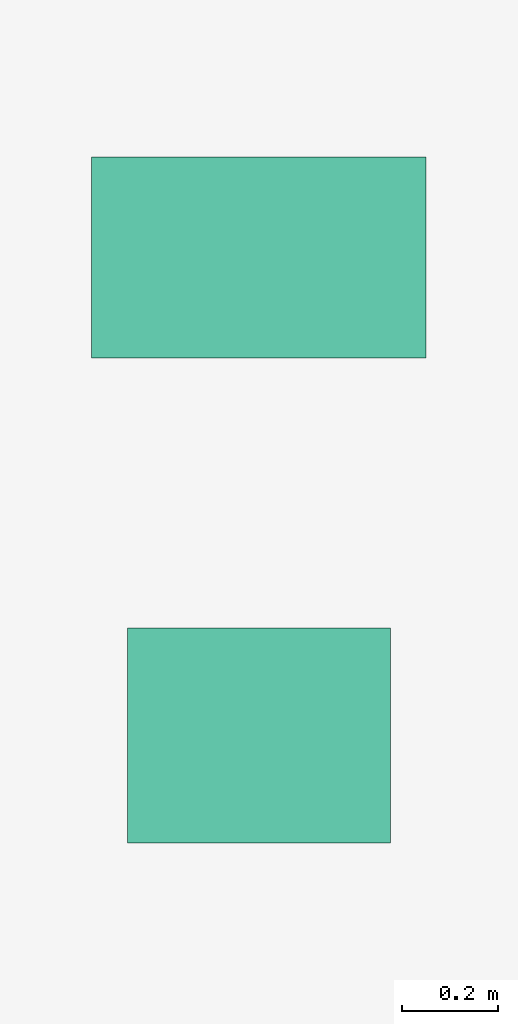
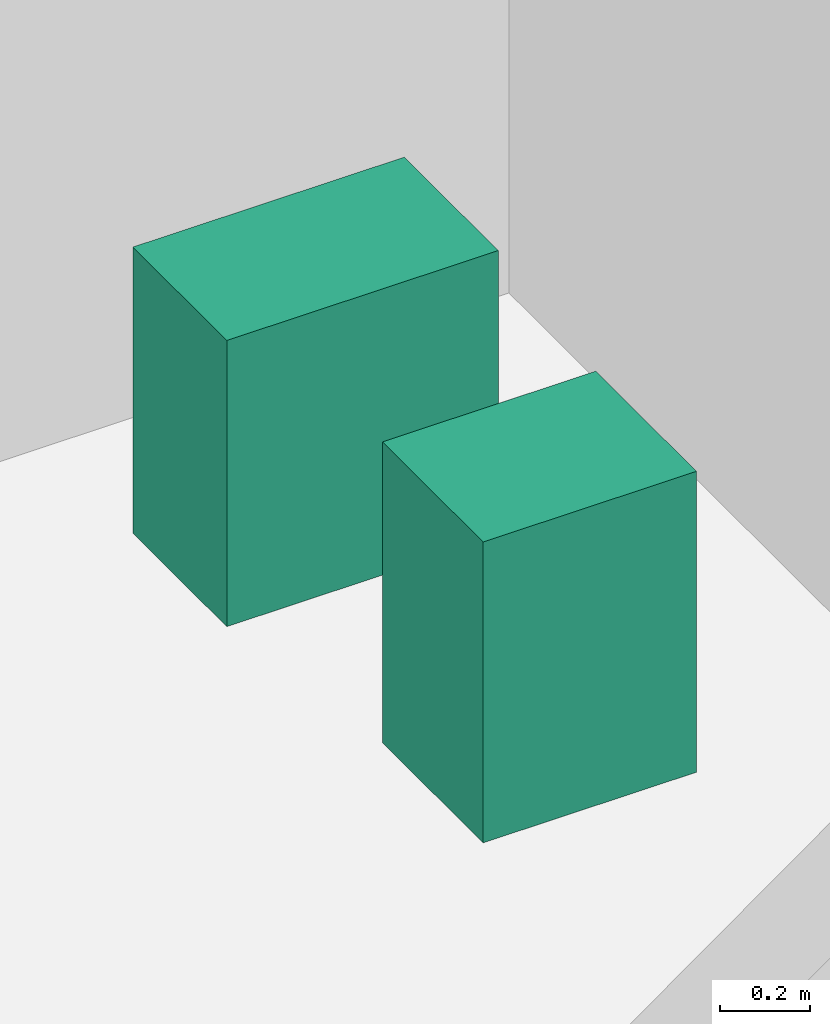
# One storey, part 27 of 27: 2 sanitary terminals.
"""IFC4 building model written with IfcOpenShell, lengths in metres."""

from ifc_helpers import new_model, si_unit, direction, frame, origin, origin_2d, place, context, subcontext, project, spatial, rectangle, extrude, source, transform, mapped, material, type_object, element, save


model = new_model("IFC4")

# Units and contexts
model_context = context("Model", 3, precision=1e-05, world=origin(), true_north=direction((0.0, 1.0)))
body_context = subcontext(model_context, "Body", "Model", "MODEL_VIEW")
ifc_project = project(units=[si_unit("LENGTHUNIT", "METRE"), si_unit("AREAUNIT", "SQUARE_METRE"), si_unit("VOLUMEUNIT", "CUBIC_METRE"), si_unit("PLANEANGLEUNIT", "RADIAN"), si_unit("MASSUNIT", "GRAM", prefix="KILO")], contexts=[model_context])

# Site, building, storey
site_placement = place(None, origin())
site = spatial("IfcSite", under=ifc_project, at=site_placement, CompositionType="ELEMENT")
building_placement = place(site_placement, origin())
building = spatial("IfcBuilding", under=site, at=building_placement, Name="Sumidabori Civic Tower", CompositionType="ELEMENT")
storey_placement = place(building_placement, frame((0.0, 0.0, 138.800048828125)))
storey = spatial("IfcBuildingStorey", under=building, at=storey_placement, Name="L35", CompositionType="ELEMENT", Elevation=138.800048828125)

# Sanitary terminals
ifc_material = material(Name="Vitreous Sanitary Porcelain")
sanitary_terminal_type_1 = type_object("IfcSanitaryTerminalType", Name="SN-WC-1", PredefinedType="TOILETPAN", material=ifc_material)
shared_shape_1 = source(origin(), body_context, "Body", "SweptSolid", [
    extrude(rectangle(XDim=0.699951171875, YDim=0.419921875, at=origin_2d()), origin(), (0.0, 0.0, 1.0), 0.780029296875),
])
sanitary_terminal_1_placement = place(storey_placement, frame((10.800048828125, 21.85009765625, 0.0), z_axis=(0.0, 0.0, 1.0), x_axis=(1.0, 0.0, 0.0)))
element("IfcSanitaryTerminal", 1, at=sanitary_terminal_1_placement, inside=storey, type_object=sanitary_terminal_type_1, Name="Accessible WC Pan L35", PredefinedType="TOILETPAN", context=body_context, shape_type="MappedRepresentation", body=[
    mapped(shared_shape_1, transform((0.0, 0.0, 0.0), x_axis=(1.0, 0.0, 0.0), y_axis=(0.0, 1.0, 0.0), z_axis=(0.0, 0.0, 1.0), scale=1.0)),
])
sanitary_terminal_type_2 = type_object("IfcSanitaryTerminalType", Name="SN-BAS-1", PredefinedType="WASHHANDBASIN", material=ifc_material)
shared_shape_2 = source(origin(), body_context, "Body", "SweptSolid", [
    extrude(rectangle(XDim=0.550048828125, YDim=0.449951171875, at=origin_2d()), origin(), (0.0, 0.0, 1.0), 0.820068359375),
])
sanitary_terminal_2_placement = place(storey_placement, frame((10.800048828125, 20.85009765625, 0.0), z_axis=(0.0, 0.0, 1.0), x_axis=(1.0, 0.0, 0.0)))
element("IfcSanitaryTerminal", 2, at=sanitary_terminal_2_placement, inside=storey, type_object=sanitary_terminal_type_2, Name="Accessible Basin L35", PredefinedType="WASHHANDBASIN", context=body_context, shape_type="MappedRepresentation", body=[
    mapped(shared_shape_2, transform((0.0, 0.0, 0.0), x_axis=(1.0, 0.0, 0.0), y_axis=(0.0, 1.0, 0.0), z_axis=(0.0, 0.0, 1.0), scale=1.0)),
])

save(model, "model.ifc")
